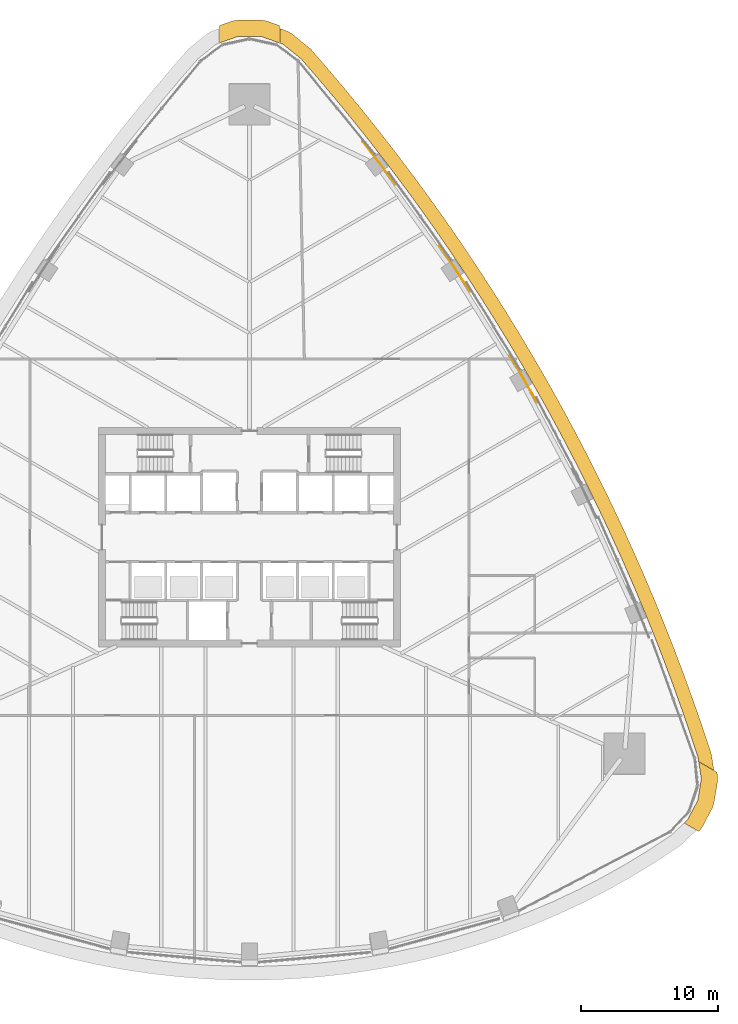
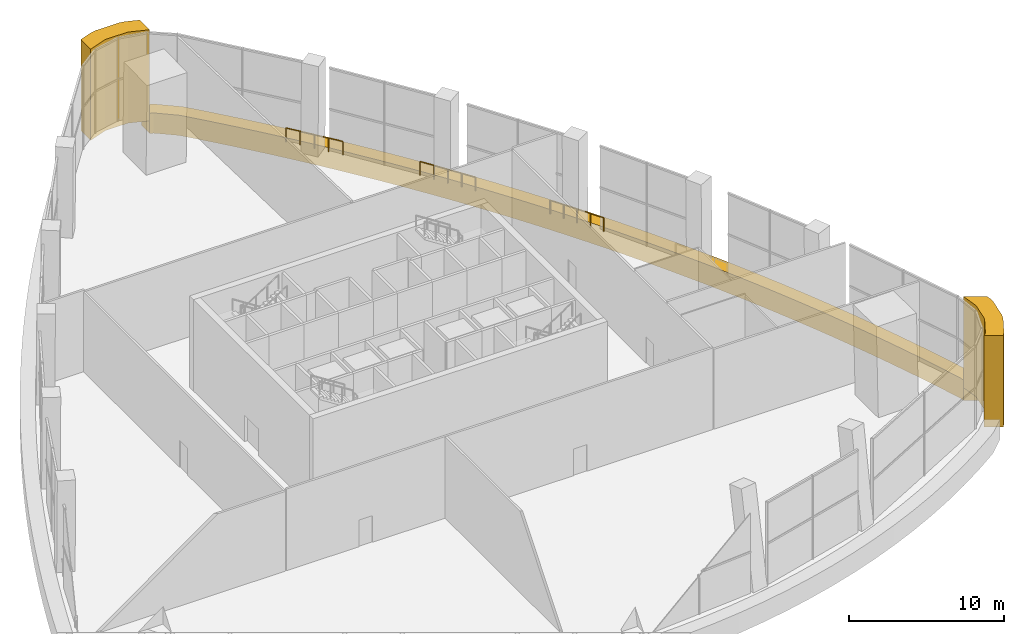
# One storey, part 22 of 23: 3 coverings, 3 railings.
"""IFC4 building model written with IfcOpenShell, lengths in metres."""

from ifc_helpers import new_model, si_unit, direction, frame, origin, origin_2d, place, context, subcontext, project, spatial, polyline, circle, outline, extrude, material, layer, layer_set, type_object, element, save


model = new_model("IFC4")

# Units and contexts
model_context = context("Model", 3, precision=1e-05, world=origin(), true_north=direction((0.0, 1.0)))
body_context = subcontext(model_context, "Body", "Model", "MODEL_VIEW")
ifc_project = project(units=[si_unit("LENGTHUNIT", "METRE"), si_unit("AREAUNIT", "SQUARE_METRE"), si_unit("VOLUMEUNIT", "CUBIC_METRE"), si_unit("PLANEANGLEUNIT", "RADIAN"), si_unit("MASSUNIT", "GRAM", prefix="KILO")], contexts=[model_context])

# Site, building, storey
site_placement = place(None, origin())
site = spatial("IfcSite", under=ifc_project, at=site_placement, CompositionType="ELEMENT")
building_placement = place(site_placement, origin())
building = spatial("IfcBuilding", under=site, at=building_placement, Name="Sierra Prisma Convention Tower", CompositionType="ELEMENT")
storey_placement = place(building_placement, frame((0.0, 0.0, 40.800048828125)))
storey = spatial("IfcBuildingStorey", under=building, at=storey_placement, Name="L06", CompositionType="ELEMENT", Elevation=40.800048828125)

# Coverings
ifc_material_1 = material(Name="Aluminium composite bronze anodised", Category="aluminium")
ifc_layer_1 = layer(ifc_material_1, 1.199951171875)
ifc_layer_set_1 = layer_set([ifc_layer_1], Name="Bronze corner pier")
covering_type_1 = type_object("IfcCoveringType", Name="Bronze corner pier", PredefinedType="CLADDING", material=ifc_layer_set_1)
covering_1_placement = place(storey_placement, frame((0.0, 0.0, -0.60009765625)))
element("IfcCovering", 1, at=covering_1_placement, inside=storey, type_object=covering_type_1, Name="Corner pier SE L06.1", PredefinedType="CLADDING", context=body_context, shape_type="SweptSolid", body=[
    extrude(outline(polyline([(34.1376953125, -17.4501953125), (34.135009765625, -17.83251953125), (33.869873046875, -19.4033203125), (33.7470703125, -19.76513671875), (33.001220703125, -21.1728515625), (32.77978515625, -21.4658203125), (31.69970703125, -20.842041015625), (31.94091796875, -20.611083984375), (32.6865234375, -19.20361328125), (32.95166015625, -17.6328125), (32.757568359375, -16.372314453125), (34.090087890625, -17.1416015625), (34.1376953125, -17.4501953125)])), origin(), (0.0, 0.0, 1.0), 7.199951171875),
])
covering_2_placement = place(storey_placement, frame((0.0, 0.0, -0.60009765625)))
element("IfcCovering", 2, at=covering_2_placement, inside=storey, type_object=covering_type_1, Name="Corner pier N L06.1", PredefinedType="CLADDING", context=body_context, shape_type="SweptSolid", body=[
    extrude(outline(polyline([(-1.24609375, 37.646240234375), (-0.845947265625, 37.71484375), (0.845947265625, 37.71484375), (1.24609375, 37.646240234375), (2.199951171875, 37.308837890625), (2.199951171875, 36.035888671875), (0.845947265625, 36.514892578125), (-0.845947265625, 36.514892578125), (-2.199951171875, 36.035888671875), (-2.199951171875, 37.308837890625), (-1.24609375, 37.646240234375)])), origin(), (0.0, 0.0, 1.0), 7.199951171875),
])
ifc_material_2 = material(Name="Aluminium composite bronze anodised", Category="aluminium")
ifc_layer_2 = layer(ifc_material_2, 1.0)
ifc_layer_set_2 = layer_set([ifc_layer_2], Name="Bronze spandrel band")
covering_type_2 = type_object("IfcCoveringType", Name="Bronze spandrel band", PredefinedType="CLADDING", material=ifc_layer_set_2)
covering_3_placement = place(storey_placement, frame((0.0, 0.0, -1.60009765625)))
element("IfcCovering", 3, at=covering_3_placement, inside=storey, type_object=covering_type_2, Name="Spandrel band L06.3", PredefinedType="CLADDING", context=body_context, shape_type="SweptSolid", body=[
    extrude(outline(polyline([(13.144287109375, 24.718017578125), (13.152099609375, 24.70703125), (14.293212890625, 23.10498046875), (14.30078125, 23.09375), (15.419921875, 21.476318359375), (15.427490234375, 21.465087890625), (16.5244140625, 19.83251953125), (16.531982421875, 19.821044921875), (17.606689453125, 18.173828125), (17.614013671875, 18.162353515625), (18.666015625, 16.50048828125), (18.67333984375, 16.489013671875), (19.70263671875, 14.81298828125), (19.709716796875, 14.80126953125), (20.71630859375, 13.111572265625), (20.72314453125, 13.099853515625), (21.70654296875, 11.396484375), (21.71337890625, 11.384521484375), (22.673583984375, 9.66796875), (22.679931640625, 9.656005859375), (23.61669921875, 7.926513671875), (23.623046875, 7.91455078125), (24.536376953125, 6.172607421875), (24.54248046875, 6.160400390625), (25.431884765625, 4.40625), (25.43798828125, 4.39404296875), (26.30322265625, 2.627685546875), (26.30908203125, 2.615478515625), (27.150390625, 0.837646484375), (27.15625, 0.8251953125), (27.97314453125, -0.9638671875), (27.978759765625, -0.976318359375), (28.771484375, -2.7763671875), (28.77685546875, -2.788818359375), (29.544921875, -4.599609375), (29.550048828125, -4.612060546875), (30.29345703125, -6.43310546875), (30.298583984375, -6.44580078125), (31.01708984375, -8.276611328125), (31.02197265625, -8.289306640625), (31.715576171875, -10.1298828125), (31.72021484375, -10.142578125), (32.388671875, -11.992431640625), (32.39306640625, -12.005126953125), (33.036376953125, -13.864013671875), (33.040771484375, -13.876708984375), (33.65869140625, -15.744140625), (33.697509765625, -15.906005859375), (33.8662109375, -17.000732421875), (32.755615234375, -16.359619140625), (32.709228515625, -16.058349609375), (32.09130859375, -14.19091796875), (31.447998046875, -12.332275390625), (30.77978515625, -10.482421875), (30.086181640625, -8.641845703125), (29.36767578125, -6.81103515625), (28.982666015625, -5.867919921875), (28.982666015625, -5.865966796875), (28.982421875, -5.861083984375), (28.981689453125, -5.856201171875), (28.980712890625, -5.8515625), (28.97900390625, -5.846923828125), (28.5205078125, -4.73779296875), (28.518310546875, -4.733642578125), (28.51611328125, -4.7294921875), (28.51318359375, -4.7255859375), (28.51123046875, -4.7236328125), (27.856201171875, -3.17919921875), (27.063720703125, -1.379150390625), (26.24658203125, 0.409912109375), (25.4052734375, 2.187744140625), (25.10107421875, 2.80859375), (25.10107421875, 2.809814453125), (25.1005859375, 2.814697265625), (25.099609375, 2.819580078125), (25.097900390625, 2.82421875), (25.09619140625, 2.82861328125), (24.565673828125, 3.905029296875), (24.563232421875, 3.9091796875), (24.560546875, 3.913330078125), (24.558837890625, 3.915283203125), (24.539794921875, 3.9541015625), (23.650634765625, 5.708251953125), (22.7373046875, 7.450439453125), (21.80078125, 9.179931640625), (20.840576171875, 10.896484375), (20.65771484375, 11.213134765625), (20.656982421875, 11.216796875), (20.65576171875, 11.221435546875), (20.65380859375, 11.22607421875), (20.651611328125, 11.23046875), (20.051513671875, 12.26953125), (20.049072265625, 12.273681640625), (20.0458984375, 12.277587890625), (20.04248046875, 12.281005859375), (20.039794921875, 12.283447265625), (19.857177734375, 12.599853515625), (18.8505859375, 14.28955078125), (17.8212890625, 15.965576171875), (16.76904296875, 17.62744140625), (15.694580078125, 19.274658203125), (15.67041015625, 19.310791015625), (15.669189453125, 19.3134765625), (15.667236328125, 19.31787109375), (15.664794921875, 19.322021484375), (14.997802734375, 20.319580078125), (14.994873046875, 20.323486328125), (14.991455078125, 20.3271484375), (14.98779296875, 20.330322265625), (14.98388671875, 20.33349609375), (14.982666015625, 20.333984375), (14.59765625, 20.9072265625), (13.478515625, 22.52490234375), (12.337646484375, 24.126953125), (11.175048828125, 25.71337890625), (10.164794921875, 27.05322265625), (10.163818359375, 27.05615234375), (10.162109375, 27.060302734375), (10.15966796875, 27.064453125), (10.156982421875, 27.068359375), (9.42578125, 28.02001953125), (9.422607421875, 28.023681640625), (9.419189453125, 28.027099609375), (9.415283203125, 28.0302734375), (9.4111328125, 28.032958984375), (9.409423828125, 28.03369140625), (8.78564453125, 28.838134765625), (7.55908203125, 30.3759765625), (6.31201171875, 31.896728515625), (5.044189453125, 33.400634765625), (3.75634765625, 34.886962890625), (2.44091796875, 35.95068359375), (2.2099609375, 36.032470703125), (2.2099609375, 37.093017578125), (2.7744140625, 36.8935546875), (3.069580078125, 36.728271484375), (4.385009765625, 35.66455078125), (4.511962890625, 35.5419921875), (5.800048828125, 34.055419921875), (5.808837890625, 34.045166015625), (7.07666015625, 32.54150390625), (7.085205078125, 32.531005859375), (8.33251953125, 31.010009765625), (8.341064453125, 30.99951171875), (9.5673828125, 29.461669921875), (9.57568359375, 29.450927734375), (10.78125, 27.896728515625), (10.789306640625, 27.885986328125), (11.973388671875, 26.3154296875), (11.981689453125, 26.304443359375), (13.144287109375, 24.718017578125)])), origin(), (0.0, 0.0, 1.0), 1.60009765625),
])

# Railings
ifc_material_3 = material(Name="Bronze anodised aluminium", Category="aluminium")
railing_type = type_object("IfcRailingType", Name="Facade guard 1100", PredefinedType="GUARDRAIL", material=ifc_material_3)
railing_1_placement = place(storey_placement, frame((20.987548828125, 9.814208984375, 0.0)))
element("IfcRailing", 4, at=railing_1_placement, inside=storey, type_object=railing_type, Name="Facade guard", PredefinedType="GUARDRAIL", context=body_context, shape_type="SweptSolid", body=[
    extrude(circle(Radius=0.02392578125, at=origin_2d()), frame((0.0, 0.0, 1.076171875), z_axis=(-0.488238167352, 0.872710428459, 0.0), x_axis=(-0.872710428459, -0.488238167352, 0.0)), (0.0, 0.0, 1.0), 0.99755859375),
    extrude(circle(Radius=0.02392578125, at=origin_2d()), frame((-0.487060546875, 0.87060546875, 1.076171875), z_axis=(-0.499800182548, 0.866140737713, 0.0), x_axis=(-0.866140737713, -0.499800182548, 0.0)), (0.0, 0.0, 1.0), 0.9970703125),
    extrude(circle(Radius=0.02392578125, at=origin_2d()), frame((-0.9853515625, 1.734130859375, 1.076171875), z_axis=(-0.500089897431, 0.865973495257, 0.0), x_axis=(-0.865973495257, -0.500089897431, 0.0)), (0.0, 0.0, 1.0), 0.996826171875),
    extrude(circle(Radius=0.02392578125, at=origin_2d()), frame((-1.48388671875, 2.597412109375, 1.076171875), z_axis=(-0.511686045322, 0.859172503647, 0.0), x_axis=(-0.859172503647, -0.511686045322, 0.0)), (0.0, 0.0, 1.0), 0.99755859375),
    extrude(circle(Radius=0.02099609375, at=origin_2d()), origin(), (0.0, 0.0, 1.0), 1.052001953125),
    extrude(circle(Radius=0.02099609375, at=origin_2d()), frame((-0.487060546875, 0.87060546875, 0.0)), (0.0, 0.0, 1.0), 1.052001953125),
    extrude(circle(Radius=0.02099609375, at=origin_2d()), frame((-0.9853515625, 1.734130859375, 0.0)), (0.0, 0.0, 1.0), 1.052001953125),
    extrude(circle(Radius=0.02099609375, at=origin_2d()), frame((-1.48388671875, 2.597412109375, 0.0)), (0.0, 0.0, 1.0), 1.052001953125),
    extrude(circle(Radius=0.02099609375, at=origin_2d()), frame((-1.994384765625, 3.45458984375, 0.0)), (0.0, 0.0, 1.0), 1.052001953125),
])
railing_2_placement = place(storey_placement, frame((16.093017578125, 17.931640625, 0.0)))
element("IfcRailing", 5, at=railing_2_placement, inside=storey, type_object=railing_type, Name="Facade guard", PredefinedType="GUARDRAIL", context=body_context, shape_type="SweptSolid", body=[
    extrude(circle(Radius=0.02392578125, at=origin_2d()), frame((0.0, 0.0, 1.076171875), z_axis=(-0.546334797773, 0.83756688613, 0.0), x_axis=(-0.83756688613, -0.546334797773, 0.0)), (0.0, 0.0, 1.0), 1.0),
    extrude(circle(Radius=0.02392578125, at=origin_2d()), frame((-0.54638671875, 0.837646484375, 1.076171875), z_axis=(-0.553906706228, 0.832578741498, 0.0), x_axis=(-0.832578741498, -0.553906706228, 0.0)), (0.0, 0.0, 1.0), 0.994384765625),
    extrude(circle(Radius=0.02392578125, at=origin_2d()), frame((-1.09716796875, 1.66552734375, 1.076171875), z_axis=(-0.557626493974, 0.83009197877, 0.0), x_axis=(-0.83009197877, -0.557626493974, 0.0)), (0.0, 0.0, 1.0), 1.0),
    extrude(circle(Radius=0.02392578125, at=origin_2d()), frame((-1.65478515625, 2.49560546875, 1.076171875), z_axis=(-0.565528355552, 0.824728851846, 0.0), x_axis=(-0.824728851846, -0.565528355552, 0.0)), (0.0, 0.0, 1.0), 0.99462890625),
    extrude(circle(Radius=0.02099609375, at=origin_2d()), origin(), (0.0, 0.0, 1.0), 1.052001953125),
    extrude(circle(Radius=0.02099609375, at=origin_2d()), frame((-0.54638671875, 0.837646484375, 0.0)), (0.0, 0.0, 1.0), 1.052001953125),
    extrude(circle(Radius=0.02099609375, at=origin_2d()), frame((-1.09716796875, 1.66552734375, 0.0)), (0.0, 0.0, 1.0), 1.052001953125),
    extrude(circle(Radius=0.02099609375, at=origin_2d()), frame((-1.65478515625, 2.49560546875, 0.0)), (0.0, 0.0, 1.0), 1.052001953125),
    extrude(circle(Radius=0.02099609375, at=origin_2d()), frame((-2.21728515625, 3.31591796875, 0.0)), (0.0, 0.0, 1.0), 1.052001953125),
])
railing_3_placement = place(storey_placement, frame((10.676513671875, 25.71044921875, 0.0)))
element("IfcRailing", 6, at=railing_3_placement, inside=storey, type_object=railing_type, Name="Facade guard", PredefinedType="GUARDRAIL", context=body_context, shape_type="SweptSolid", body=[
    extrude(circle(Radius=0.02392578125, at=origin_2d()), frame((0.0, 0.0, 1.076171875), z_axis=(-0.602107487597, 0.798415038298, 0.0), x_axis=(-0.798415038298, -0.602107487597, 0.0)), (0.0, 0.0, 1.0), 1.0),
    extrude(circle(Radius=0.02392578125, at=origin_2d()), frame((-0.60205078125, 0.79833984375, 1.076171875), z_axis=(-0.605562387438, 0.795797835458, 0.0), x_axis=(-0.795797835458, -0.605562387438, 0.0)), (0.0, 0.0, 1.0), 0.99462890625),
    extrude(circle(Radius=0.02392578125, at=origin_2d()), frame((-1.204345703125, 1.58984375, 1.076171875), z_axis=(-0.612773739081, 0.790258403747, 0.0), x_axis=(-0.790258403747, -0.612773739081, 0.0)), (0.0, 0.0, 1.0), 1.0),
    extrude(circle(Radius=0.02392578125, at=origin_2d()), frame((-1.817138671875, 2.380126953125, 1.076171875), z_axis=(-0.616910432633, 0.787033365309, 0.0), x_axis=(-0.787033365309, -0.616910432633, 0.0)), (0.0, 0.0, 1.0), 0.99462890625),
    extrude(circle(Radius=0.02099609375, at=origin_2d()), origin(), (0.0, 0.0, 1.0), 1.052001953125),
    extrude(circle(Radius=0.02099609375, at=origin_2d()), frame((-0.60205078125, 0.79833984375, 0.0)), (0.0, 0.0, 1.0), 1.052001953125),
    extrude(circle(Radius=0.02099609375, at=origin_2d()), frame((-1.204345703125, 1.58984375, 0.0)), (0.0, 0.0, 1.0), 1.052001953125),
    extrude(circle(Radius=0.02099609375, at=origin_2d()), frame((-1.817138671875, 2.380126953125, 0.0)), (0.0, 0.0, 1.0), 1.052001953125),
    extrude(circle(Radius=0.02099609375, at=origin_2d()), frame((-2.4306640625, 3.162841796875, 0.0)), (0.0, 0.0, 1.0), 1.052001953125),
])

save(model, "model.ifc")
